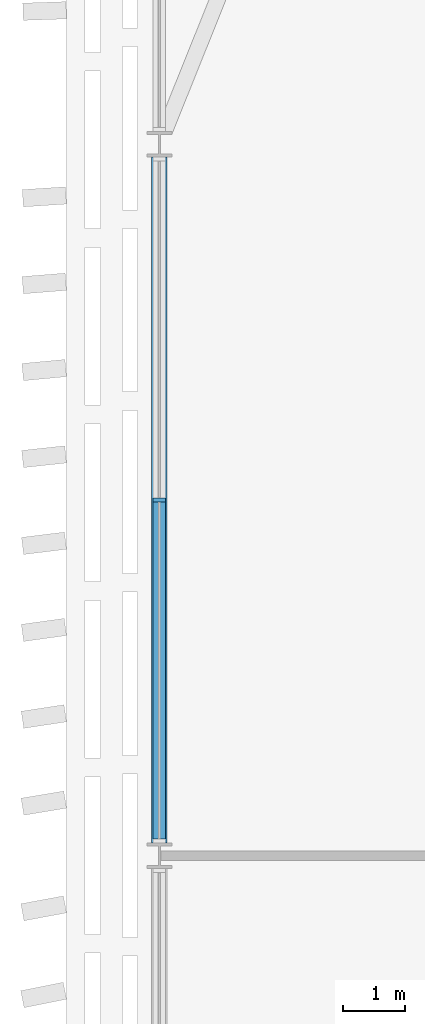
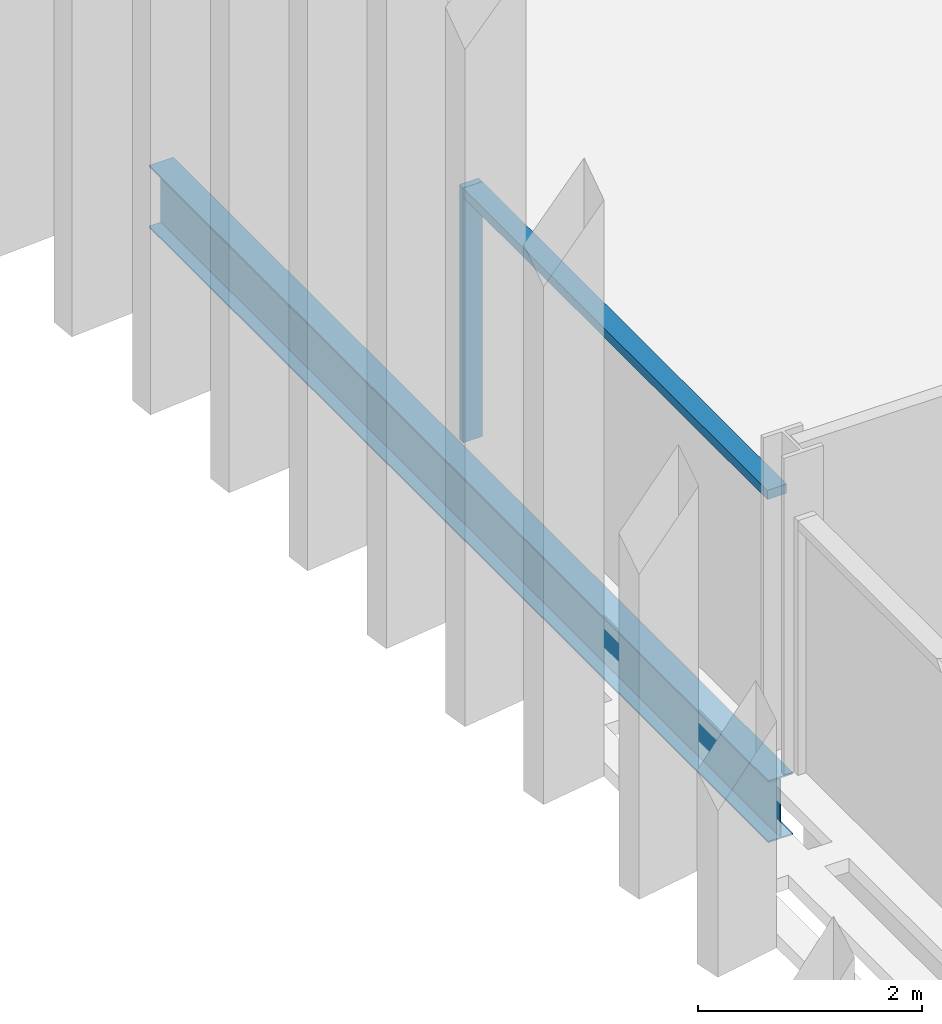
# One storey, part 4 of 28: 2 members, 1 beam, 1 element without a shape of its own.
"""IFC4 building model written with IfcOpenShell, lengths in metres."""

from ifc_helpers import new_model, si_unit, direction, frame, origin, origin_2d, place, context, subcontext, project, spatial, rectangle, i_section, extrude, material, material_profile, profile_set, type_object, element, aggregate, save


model = new_model("IFC4")

# Units and contexts
model_context = context("Model", 3, precision=1e-05, world=origin(), true_north=direction((0.0, 1.0)))
body_context = subcontext(model_context, "Body", "Model", "MODEL_VIEW")
ifc_project = project(units=[si_unit("LENGTHUNIT", "METRE"), si_unit("AREAUNIT", "SQUARE_METRE"), si_unit("VOLUMEUNIT", "CUBIC_METRE"), si_unit("PLANEANGLEUNIT", "RADIAN"), si_unit("MASSUNIT", "GRAM", prefix="KILO")], contexts=[model_context])

# Site, building, storey
site_placement = place(None, origin())
site = spatial("IfcSite", under=ifc_project, at=site_placement, CompositionType="ELEMENT")
building_placement = place(site_placement, origin())
building = spatial("IfcBuilding", under=site, at=building_placement, Name="Mahtab Terrace Research Tower", CompositionType="ELEMENT")
storey_placement = place(building_placement, frame((0.0, 0.0, 174.39990234375)))
storey = spatial("IfcBuildingStorey", under=building, at=storey_placement, Name="L41", CompositionType="ELEMENT", Elevation=174.39990234375)

# Curtain wall, members
ifc_material_1 = material(Name="Laboratory ribbon curtain wall")
curtain_wall_type = type_object("IfcCurtainWallType", Name="Laboratory ribbon curtain wall", PredefinedType="NOTDEFINED", material=ifc_material_1)
curtain_wall_placement = place(storey_placement, origin())
curtain_wall = element("IfcCurtainWall", 1, at=curtain_wall_placement, inside=storey, type_object=curtain_wall_type, Name="EN.L41.8.16", PredefinedType="NOTDEFINED")
ifc_material_2 = material(Name="Natural anodised aluminium", Category="aluminium")
ifc_material_profile_1 = material_profile(ifc_material_2, rectangle(XDim=0.199951171875, YDim=0.06494140625, at=origin_2d()), Name="MULLION 65x200")
ifc_profile_set_1 = profile_set([ifc_material_profile_1], Name="Natural anodised aluminium")
member_type_1 = type_object("IfcMemberType", Name="Laboratory ribbon curtain wall mullion", PredefinedType="MULLION", material=ifc_profile_set_1)
member_1_placement = place(storey_placement, frame((-48.0, 5.75, 0.0), z_axis=(0.0, 0.0, 1.0), x_axis=(1.0, 0.0, 0.0)))
member_1 = element("IfcMember", 2, at=member_1_placement, type_object=member_type_1, Name="CWL-5 mullion 2", PredefinedType="MULLION", context=body_context, shape_type="SweptSolid", body=[
    extrude(rectangle(XDim=0.199951171875, YDim=0.06494140625, at=origin_2d()), origin(), (0.0, 0.0, 1.0), 2.781982421875),
])
ifc_material_profile_2 = material_profile(ifc_material_2, rectangle(XDim=0.199951171875, YDim=0.10009765625, at=origin_2d()), Name="TRANSOM 100x200")
ifc_profile_set_2 = profile_set([ifc_material_profile_2], Name="Natural anodised aluminium")
member_type_2 = type_object("IfcMemberType", Name="Laboratory ribbon curtain wall transom", PredefinedType="USERDEFINED", material=ifc_profile_set_2)
member_2_placement = place(storey_placement, frame((-48.0, 5.717529296875, 2.73193359375), z_axis=(0.0, -1.0, 0.0), x_axis=(1.0, 0.0, 0.0)))
member_2 = element("IfcMember", 3, at=member_2_placement, type_object=member_type_2, Name="CWL-5 transom 2", ObjectType="TRANSOM", PredefinedType="USERDEFINED", context=body_context, shape_type="SweptSolid", body=[
    extrude(rectangle(XDim=0.199951171875, YDim=0.10009765625, at=origin_2d()), origin(), (0.0, 0.0, 1.0), 5.444580078125),
])
aggregate(curtain_wall, [member_1, member_2])

# Beam
ifc_material_3 = material(Name="Steel ASTM A992 Gr 50", Category="steel")
ifc_material_profile_3 = material_profile(ifc_material_3, i_section(OverallWidth=0.25390625, OverallDepth=0.67822265625, WebThickness=0.01171875, FlangeThickness=0.016357421875, at=origin_2d()), Name="W27X84")
ifc_profile_set_3 = profile_set([ifc_material_profile_3], Name="Steel ASTM A992 Gr 50")
beam_type = type_object("IfcBeamType", Name="W27x84 beam BS2784", PredefinedType="BEAM", material=ifc_profile_set_3)
beam_placement = place(storey_placement, frame((-48.0, 11.291748046875, -0.678955078125), z_axis=(0.0, -1.0, 0.0), x_axis=(1.0, 0.0, 0.0)))
element("IfcBeam", 4, at=beam_placement, inside=storey, type_object=beam_type, Name="Spandrel beam L41 09", PredefinedType="BEAM", context=body_context, shape_type="SweptSolid", body=[
    extrude(i_section(OverallWidth=0.25390625, OverallDepth=0.67822265625, WebThickness=0.01171875, FlangeThickness=0.016357421875, at=origin_2d()), origin(), (0.0, 0.0, 1.0), 11.08349609375),
])

save(model, "model.ifc")
